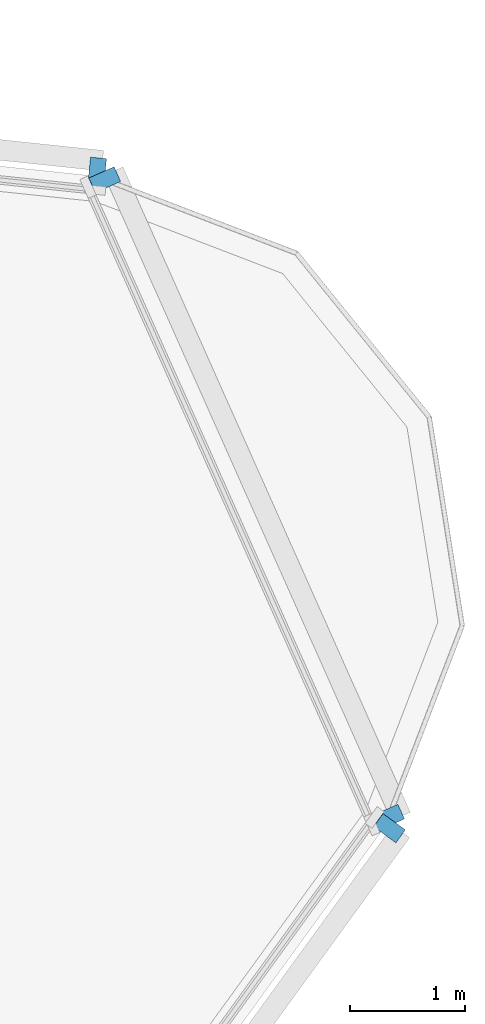
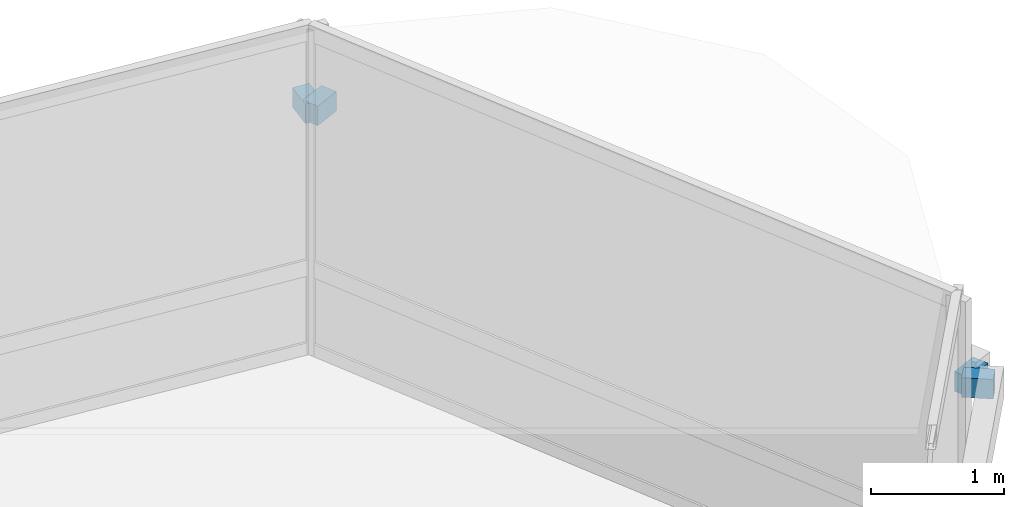
# One storey, part 11 of 15: 4 discrete accessories.
"""IFC4 building model written with IfcOpenShell, lengths in metres."""

from ifc_helpers import new_model, si_unit, direction, frame, origin, origin_2d, place, context, subcontext, project, spatial, rectangle, extrude, material, type_object, element, save


model = new_model("IFC4")

# Units and contexts
model_context = context("Model", 3, precision=1e-05, world=origin(), true_north=direction((0.0, 1.0)))
body_context = subcontext(model_context, "Body", "Model", "MODEL_VIEW")
ifc_project = project(units=[si_unit("LENGTHUNIT", "METRE"), si_unit("AREAUNIT", "SQUARE_METRE"), si_unit("VOLUMEUNIT", "CUBIC_METRE"), si_unit("PLANEANGLEUNIT", "RADIAN"), si_unit("MASSUNIT", "GRAM", prefix="KILO")], contexts=[model_context])

# Site, building, storey
site_placement = place(None, origin())
site = spatial("IfcSite", under=ifc_project, at=site_placement, CompositionType="ELEMENT")
building_placement = place(site_placement, origin())
building = spatial("IfcBuilding", under=site, at=building_placement, Name="Terralouvre Media Tower", CompositionType="ELEMENT")
storey_placement = place(building_placement, frame((0.0, 0.0, 233.699951171875)))
storey = spatial("IfcBuildingStorey", under=building, at=storey_placement, Name="L60", CompositionType="ELEMENT", Elevation=233.699951171875)

# Discrete accessories
ifc_material = material(Name="Anodised extruded aluminium 6063-T6", Category="aluminium")
discrete_accessory_type = type_object("IfcDiscreteAccessoryType", Name="Mullion Stand-Off Baguette Fixing Bracket BK-01", PredefinedType="BRACKET", material=ifc_material)
for number, where, z_axis, x_axis, name in (
    (1, (26.880615234375, 8.544189453125, 2.07421875), (0.0, 0.0, 1.0), (0.587785300879, 0.809016959074, 0.0), "CW-L60-F0 Baguette Outrigger Bracket 1.06"),
    (2, (24.336181640625, 14.259033203125, 2.07421875), (0.0, 0.0, 1.0), (-0.994521885028, 0.104528561651, 0.0), "CW-L60-F1 Baguette Outrigger Bracket 1.01"),
    (3, (26.873291015625, 8.640380859375, 2.07421875), (0.0, 0.0, 1.0), (-0.406737441315, 0.913545102243, 0.0), "CW-L60-C1 Baguette Outrigger Bracket 1.01"),
    (4, (24.40283203125, 14.189208984375, 2.07421875), (0.0, 0.0, 1.0), (-0.406737441315, 0.913545102243, 0.0), "CW-L60-C1 Baguette Outrigger Bracket 1.02"),
):
    element("IfcDiscreteAccessory", number, at=place(storey_placement, frame(where, z_axis=z_axis, x_axis=x_axis)), inside=storey, type_object=discrete_accessory_type, Name=name, PredefinedType="BRACKET", context=body_context, shape_type="SweptSolid", body=[
        extrude(rectangle(XDim=0.139892578125, YDim=0.239990234375, at=origin_2d()), origin(), (0.0, 0.0, 1.0), 0.179931640625),
    ])

save(model, "model.ifc")
